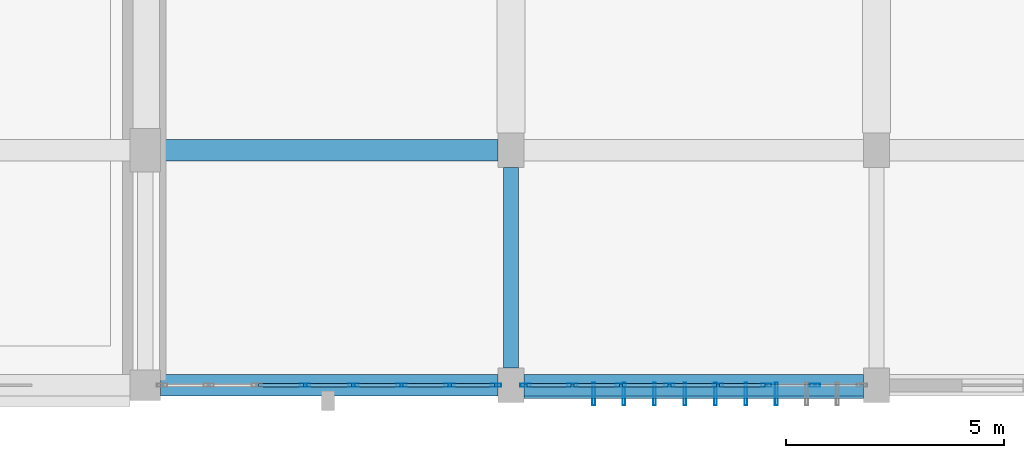
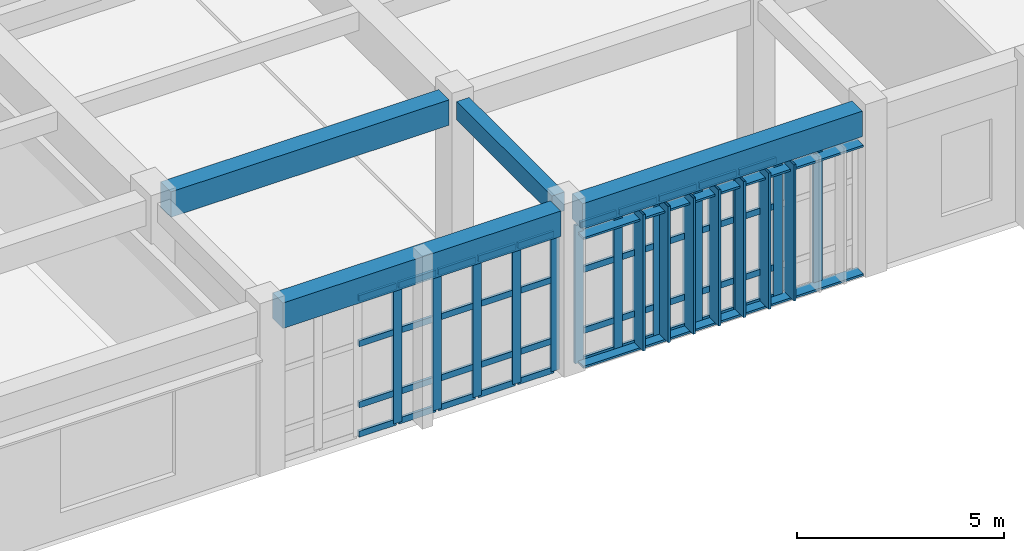
# One storey, part 27 of 106: 61 members, 4 beams, 2 elements without a shape of their own.
"""IFC4 building model written with IfcOpenShell, lengths in metres."""

from ifc_helpers import new_model, si_unit, direction, frame, origin, origin_2d, place, context, subcontext, project, spatial, rectangle, hollow_rectangle, extrude, material, layer, layer_set, material_profile, profile_set, type_object, element, aggregate, save


model = new_model("IFC4")

# Units and contexts
model_context = context("Model", 3, precision=1e-05, world=origin(), true_north=direction((0.0, 1.0)))
body_context = subcontext(model_context, "Body", "Model", "MODEL_VIEW")
ifc_project = project(units=[si_unit("LENGTHUNIT", "METRE"), si_unit("AREAUNIT", "SQUARE_METRE"), si_unit("VOLUMEUNIT", "CUBIC_METRE"), si_unit("PLANEANGLEUNIT", "RADIAN"), si_unit("MASSUNIT", "GRAM", prefix="KILO")], contexts=[model_context])

# Site, building, storey
site_placement = place(None, origin())
site = spatial("IfcSite", under=ifc_project, at=site_placement, CompositionType="ELEMENT")
building_placement = place(site_placement, origin())
building = spatial("IfcBuilding", under=site, at=building_placement, Name="Krzemoval Escarpment Law Courts", CompositionType="ELEMENT")
storey_placement = place(building_placement, frame((0.0, 0.0, 5.10009765625)))
storey = spatial("IfcBuildingStorey", under=building, at=storey_placement, Name="L01", CompositionType="ELEMENT", Elevation=5.10009765625)

# Beams
ifc_material_1 = material(Name="Concrete C40/50", Category="concrete")
ifc_material_profile_1 = material_profile(ifc_material_1, rectangle(XDim=0.35009765625, YDim=0.550048828125, at=origin_2d()), Name="RCB 350x550")
ifc_profile_set_1 = profile_set([ifc_material_profile_1], Name="Concrete C40/50")
beam_type_1 = type_object("IfcBeamType", Name="BM-RC-350x550", PredefinedType="BEAM", material=ifc_profile_set_1)
beam_1_placement = place(storey_placement, frame((117.60009765625, 0.39990234375, 4.544921875), z_axis=(0.0, 1.0, 0.0), x_axis=(-1.0, 0.0, 0.0)))
element("IfcBeam", 1, at=beam_1_placement, inside=storey, type_object=beam_type_1, Name="Beam FG-L01-1501", PredefinedType="BEAM", context=body_context, shape_type="SweptSolid", body=[
    extrude(rectangle(XDim=0.35009765625, YDim=0.550048828125, at=origin_2d()), origin(), (0.0, 0.0, 1.0), 4.60009765625),
])
ifc_material_2 = material(Name="Concrete C40/50", Category="concrete")
ifc_material_profile_2 = material_profile(ifc_material_2, rectangle(XDim=0.5, YDim=0.75, at=origin_2d()), Name="RCB 500x750")
ifc_profile_set_2 = profile_set([ifc_material_profile_2], Name="Concrete C40/50")
beam_type_2 = type_object("IfcBeamType", Name="BM-RC-500x750", PredefinedType="BEAM", material=ifc_profile_set_2)
beam_2_placement = place(storey_placement, frame((109.550048828125, 0.0, 4.44482421875), z_axis=(1.0, 0.0, 0.0), x_axis=(0.0, 1.0, 0.0)))
element("IfcBeam", 2, at=beam_2_placement, inside=storey, type_object=beam_type_2, Name="Beam FG-L01-1158", PredefinedType="BEAM", context=body_context, shape_type="SweptSolid", body=[
    extrude(rectangle(XDim=0.5, YDim=0.75, at=origin_2d()), origin(), (0.0, 0.0, 1.0), 7.75),
])
beam_3_placement = place(storey_placement, frame((117.89990234375, 0.0, 4.44482421875), z_axis=(1.0, 0.0, 0.0), x_axis=(0.0, 1.0, 0.0)))
element("IfcBeam", 3, at=beam_3_placement, inside=storey, type_object=beam_type_2, Name="Beam FG-L01-1159", PredefinedType="BEAM", context=body_context, shape_type="SweptSolid", body=[
    extrude(rectangle(XDim=0.5, YDim=0.75, at=origin_2d()), origin(), (0.0, 0.0, 1.0), 7.800048828125),
])
beam_4_placement = place(storey_placement, frame((109.550048828125, 5.39990234375, 4.44482421875), z_axis=(1.0, 0.0, 0.0), x_axis=(0.0, 1.0, 0.0)))
element("IfcBeam", 4, at=beam_4_placement, inside=storey, type_object=beam_type_2, Name="Beam FG-L01-1176", PredefinedType="BEAM", context=body_context, shape_type="SweptSolid", body=[
    extrude(rectangle(XDim=0.5, YDim=0.75, at=origin_2d()), origin(), (0.0, 0.0, 1.0), 7.75),
])

# Curtain wall, members
ifc_material_3 = material(Name="Aluminium 6063-T6", Category="aluminium")
ifc_layer = layer(ifc_material_3, 0.239990234375)
ifc_layer_set = layer_set([ifc_layer], Name="Aluminium 6063-T6")
curtain_wall_type = type_object("IfcCurtainWallType", Name="CW-LIBR-4800", PredefinedType="USERDEFINED", material=ifc_layer_set)
curtain_wall_1_placement = place(storey_placement, origin())
curtain_wall_1 = element("IfcCurtainWall", 5, at=curtain_wall_1_placement, inside=storey, type_object=curtain_wall_type, Name="Unitised Curtain Wall FCW-L01-043", ObjectType="UNITISED_CURTAIN_WALL", PredefinedType="USERDEFINED")
ifc_material_4 = material(Name="Aluminium 6063-T6", Category="aluminium")
ifc_material_profile_3 = material_profile(ifc_material_4, hollow_rectangle(XDim=0.074951171875, YDim=0.239990234375, WallThickness=0.0048828125, at=origin_2d()), Name="ALU M75x240")
ifc_profile_set_3 = profile_set([ifc_material_profile_3], Name="Aluminium 6063-T6")
member_type_1 = type_object("IfcMemberType", Name="CWM-75x240", PredefinedType="MULLION", material=ifc_profile_set_3)
member_1_placement = place(storey_placement, frame((124.585693359375, 0.0, 0.0), z_axis=(0.0, 0.0, 1.0), x_axis=(0.0, -1.0, 0.0)))
member_1 = element("IfcMember", 6, at=member_1_placement, type_object=member_type_1, Name="FCW-L01-043 mullion 2", PredefinedType="MULLION", context=body_context, shape_type="SweptSolid", body=[
    extrude(hollow_rectangle(XDim=0.074951171875, YDim=0.239990234375, WallThickness=0.0048828125, at=origin_2d()), origin(), (0.0, 0.0, 1.0), 4.06982421875),
])
member_2_placement = place(storey_placement, frame((123.471435546875, 0.0, 0.0), z_axis=(0.0, 0.0, 1.0), x_axis=(0.0, -1.0, 0.0)))
member_2 = element("IfcMember", 7, at=member_2_placement, type_object=member_type_1, Name="FCW-L01-043 mullion 3", PredefinedType="MULLION", context=body_context, shape_type="SweptSolid", body=[
    extrude(hollow_rectangle(XDim=0.074951171875, YDim=0.239990234375, WallThickness=0.0048828125, at=origin_2d()), origin(), (0.0, 0.0, 1.0), 4.06982421875),
])
member_3_placement = place(storey_placement, frame((122.357177734375, 0.0, 0.0), z_axis=(0.0, 0.0, 1.0), x_axis=(0.0, -1.0, 0.0)))
member_3 = element("IfcMember", 8, at=member_3_placement, type_object=member_type_1, Name="FCW-L01-043 mullion 4", PredefinedType="MULLION", context=body_context, shape_type="SweptSolid", body=[
    extrude(hollow_rectangle(XDim=0.074951171875, YDim=0.239990234375, WallThickness=0.0048828125, at=origin_2d()), origin(), (0.0, 0.0, 1.0), 4.06982421875),
])
member_4_placement = place(storey_placement, frame((121.242919921875, 0.0, 0.0), z_axis=(0.0, 0.0, 1.0), x_axis=(0.0, -1.0, 0.0)))
member_4 = element("IfcMember", 9, at=member_4_placement, type_object=member_type_1, Name="FCW-L01-043 mullion 5", PredefinedType="MULLION", context=body_context, shape_type="SweptSolid", body=[
    extrude(hollow_rectangle(XDim=0.074951171875, YDim=0.239990234375, WallThickness=0.0048828125, at=origin_2d()), origin(), (0.0, 0.0, 1.0), 4.06982421875),
])
member_5_placement = place(storey_placement, frame((120.128662109375, 0.0, 0.0), z_axis=(0.0, 0.0, 1.0), x_axis=(0.0, -1.0, 0.0)))
member_5 = element("IfcMember", 10, at=member_5_placement, type_object=member_type_1, Name="FCW-L01-043 mullion 6", PredefinedType="MULLION", context=body_context, shape_type="SweptSolid", body=[
    extrude(hollow_rectangle(XDim=0.074951171875, YDim=0.239990234375, WallThickness=0.0048828125, at=origin_2d()), origin(), (0.0, 0.0, 1.0), 4.06982421875),
])
member_6_placement = place(storey_placement, frame((119.014404296875, 0.0, 0.0), z_axis=(0.0, 0.0, 1.0), x_axis=(0.0, -1.0, 0.0)))
member_6 = element("IfcMember", 11, at=member_6_placement, type_object=member_type_1, Name="FCW-L01-043 mullion 7", PredefinedType="MULLION", context=body_context, shape_type="SweptSolid", body=[
    extrude(hollow_rectangle(XDim=0.074951171875, YDim=0.239990234375, WallThickness=0.0048828125, at=origin_2d()), origin(), (0.0, 0.0, 1.0), 4.06982421875),
])
member_7_placement = place(storey_placement, frame((117.9375, 0.0, 0.0), z_axis=(0.0, 0.0, 1.0), x_axis=(0.0, -1.0, 0.0)))
member_7 = element("IfcMember", 12, at=member_7_placement, type_object=member_type_1, Name="FCW-L01-043 mullion 8", PredefinedType="MULLION", context=body_context, shape_type="SweptSolid", body=[
    extrude(hollow_rectangle(XDim=0.074951171875, YDim=0.239990234375, WallThickness=0.0048828125, at=origin_2d()), origin(), (0.0, 0.0, 1.0), 4.06982421875),
])

curtain_wall_2_placement = place(storey_placement, origin())
curtain_wall_2 = element("IfcCurtainWall", 13, at=curtain_wall_2_placement, inside=storey, type_object=curtain_wall_type, Name="Unitised Curtain Wall FCW-L01-044", ObjectType="UNITISED_CURTAIN_WALL", PredefinedType="USERDEFINED")
member_8_placement = place(storey_placement, frame((117.262451171875, 0.0, 0.0), z_axis=(0.0, 0.0, 1.0), x_axis=(0.0, -1.0, 0.0)))
member_8 = element("IfcMember", 14, at=member_8_placement, type_object=member_type_1, Name="FCW-L01-044 mullion 1", PredefinedType="MULLION", context=body_context, shape_type="SweptSolid", body=[
    extrude(hollow_rectangle(XDim=0.074951171875, YDim=0.239990234375, WallThickness=0.0048828125, at=origin_2d()), origin(), (0.0, 0.0, 1.0), 4.06982421875),
])
member_9_placement = place(storey_placement, frame((116.19287109375, 0.0, 0.0), z_axis=(0.0, 0.0, 1.0), x_axis=(0.0, -1.0, 0.0)))
member_9 = element("IfcMember", 15, at=member_9_placement, type_object=member_type_1, Name="FCW-L01-044 mullion 2", PredefinedType="MULLION", context=body_context, shape_type="SweptSolid", body=[
    extrude(hollow_rectangle(XDim=0.074951171875, YDim=0.239990234375, WallThickness=0.0048828125, at=origin_2d()), origin(), (0.0, 0.0, 1.0), 4.06982421875),
])
member_10_placement = place(storey_placement, frame((115.085693359375, 0.0, 0.0), z_axis=(0.0, 0.0, 1.0), x_axis=(0.0, -1.0, 0.0)))
member_10 = element("IfcMember", 16, at=member_10_placement, type_object=member_type_1, Name="FCW-L01-044 mullion 3", PredefinedType="MULLION", context=body_context, shape_type="SweptSolid", body=[
    extrude(hollow_rectangle(XDim=0.074951171875, YDim=0.239990234375, WallThickness=0.0048828125, at=origin_2d()), origin(), (0.0, 0.0, 1.0), 4.06982421875),
])
member_11_placement = place(storey_placement, frame((113.978515625, 0.0, 0.0), z_axis=(0.0, 0.0, 1.0), x_axis=(0.0, -1.0, 0.0)))
member_11 = element("IfcMember", 17, at=member_11_placement, type_object=member_type_1, Name="FCW-L01-044 mullion 4", PredefinedType="MULLION", context=body_context, shape_type="SweptSolid", body=[
    extrude(hollow_rectangle(XDim=0.074951171875, YDim=0.239990234375, WallThickness=0.0048828125, at=origin_2d()), origin(), (0.0, 0.0, 1.0), 4.06982421875),
])
member_12_placement = place(storey_placement, frame((112.871337890625, 0.0, 0.0), z_axis=(0.0, 0.0, 1.0), x_axis=(0.0, -1.0, 0.0)))
member_12 = element("IfcMember", 18, at=member_12_placement, type_object=member_type_1, Name="FCW-L01-044 mullion 5", PredefinedType="MULLION", context=body_context, shape_type="SweptSolid", body=[
    extrude(hollow_rectangle(XDim=0.074951171875, YDim=0.239990234375, WallThickness=0.0048828125, at=origin_2d()), origin(), (0.0, 0.0, 1.0), 4.06982421875),
])

# Member
ifc_material_5 = material(Name="Aluminium 6063-T6", Category="aluminium")
ifc_material_profile_4 = material_profile(ifc_material_5, hollow_rectangle(XDim=0.074951171875, YDim=0.179931640625, WallThickness=0.0048828125, at=origin_2d()), Name="ALU T75x180")
ifc_profile_set_4 = profile_set([ifc_material_profile_4], Name="Aluminium 6063-T6")
member_type_2 = type_object("IfcMemberType", Name="CWT-75x180", PredefinedType="USERDEFINED", material=ifc_profile_set_4)
member_13_placement = place(storey_placement, frame((123.433837890625, 0.0, 0.037353515625), z_axis=(-1.0, 0.0, 0.0), x_axis=(0.0, -1.0, 0.0)))
member_13 = element("IfcMember", 19, at=member_13_placement, type_object=member_type_2, Name="FCW-L01-043 transom 3.1", ObjectType="TRANSOM", PredefinedType="USERDEFINED", context=body_context, shape_type="SweptSolid", body=[
    extrude(hollow_rectangle(XDim=0.074951171875, YDim=0.179931640625, WallThickness=0.0048828125, at=origin_2d()), origin(), (0.0, 0.0, 1.0), 1.039306640625),
])

member_14_placement = place(storey_placement, frame((123.433837890625, 0.0, 0.89990234375), z_axis=(-1.0, 0.0, 0.0), x_axis=(0.0, -1.0, 0.0)))
member_14 = element("IfcMember", 20, at=member_14_placement, type_object=member_type_2, Name="FCW-L01-043 transom 3.2", ObjectType="TRANSOM", PredefinedType="USERDEFINED", context=body_context, shape_type="SweptSolid", body=[
    extrude(hollow_rectangle(XDim=0.074951171875, YDim=0.179931640625, WallThickness=0.0048828125, at=origin_2d()), origin(), (0.0, 0.0, 1.0), 1.039306640625),
])

member_15_placement = place(storey_placement, frame((123.433837890625, 0.0, 2.699951171875), z_axis=(-1.0, 0.0, 0.0), x_axis=(0.0, -1.0, 0.0)))
member_15 = element("IfcMember", 21, at=member_15_placement, type_object=member_type_2, Name="FCW-L01-043 transom 3.3", ObjectType="TRANSOM", PredefinedType="USERDEFINED", context=body_context, shape_type="SweptSolid", body=[
    extrude(hollow_rectangle(XDim=0.074951171875, YDim=0.179931640625, WallThickness=0.0048828125, at=origin_2d()), origin(), (0.0, 0.0, 1.0), 1.039306640625),
])

member_16_placement = place(storey_placement, frame((123.433837890625, 0.0, 4.032470703125), z_axis=(-1.0, 0.0, 0.0), x_axis=(0.0, -1.0, 0.0)))
member_16 = element("IfcMember", 22, at=member_16_placement, type_object=member_type_2, Name="FCW-L01-043 transom 3.4", ObjectType="TRANSOM", PredefinedType="USERDEFINED", context=body_context, shape_type="SweptSolid", body=[
    extrude(hollow_rectangle(XDim=0.074951171875, YDim=0.179931640625, WallThickness=0.0048828125, at=origin_2d()), origin(), (0.0, 0.0, 1.0), 1.039306640625),
])

member_17_placement = place(storey_placement, frame((122.319580078125, 0.0, 0.037353515625), z_axis=(-1.0, 0.0, 0.0), x_axis=(0.0, -1.0, 0.0)))
member_17 = element("IfcMember", 23, at=member_17_placement, type_object=member_type_2, Name="FCW-L01-043 transom 4.1", ObjectType="TRANSOM", PredefinedType="USERDEFINED", context=body_context, shape_type="SweptSolid", body=[
    extrude(hollow_rectangle(XDim=0.074951171875, YDim=0.179931640625, WallThickness=0.0048828125, at=origin_2d()), origin(), (0.0, 0.0, 1.0), 1.039306640625),
])

member_18_placement = place(storey_placement, frame((122.319580078125, 0.0, 0.89990234375), z_axis=(-1.0, 0.0, 0.0), x_axis=(0.0, -1.0, 0.0)))
member_18 = element("IfcMember", 24, at=member_18_placement, type_object=member_type_2, Name="FCW-L01-043 transom 4.2", ObjectType="TRANSOM", PredefinedType="USERDEFINED", context=body_context, shape_type="SweptSolid", body=[
    extrude(hollow_rectangle(XDim=0.074951171875, YDim=0.179931640625, WallThickness=0.0048828125, at=origin_2d()), origin(), (0.0, 0.0, 1.0), 1.039306640625),
])

member_19_placement = place(storey_placement, frame((122.319580078125, 0.0, 2.699951171875), z_axis=(-1.0, 0.0, 0.0), x_axis=(0.0, -1.0, 0.0)))
member_19 = element("IfcMember", 25, at=member_19_placement, type_object=member_type_2, Name="FCW-L01-043 transom 4.3", ObjectType="TRANSOM", PredefinedType="USERDEFINED", context=body_context, shape_type="SweptSolid", body=[
    extrude(hollow_rectangle(XDim=0.074951171875, YDim=0.179931640625, WallThickness=0.0048828125, at=origin_2d()), origin(), (0.0, 0.0, 1.0), 1.039306640625),
])

member_20_placement = place(storey_placement, frame((122.319580078125, 0.0, 4.032470703125), z_axis=(-1.0, 0.0, 0.0), x_axis=(0.0, -1.0, 0.0)))
member_20 = element("IfcMember", 26, at=member_20_placement, type_object=member_type_2, Name="FCW-L01-043 transom 4.4", ObjectType="TRANSOM", PredefinedType="USERDEFINED", context=body_context, shape_type="SweptSolid", body=[
    extrude(hollow_rectangle(XDim=0.074951171875, YDim=0.179931640625, WallThickness=0.0048828125, at=origin_2d()), origin(), (0.0, 0.0, 1.0), 1.039306640625),
])

member_21_placement = place(storey_placement, frame((121.205322265625, 0.0, 0.037353515625), z_axis=(-1.0, 0.0, 0.0), x_axis=(0.0, -1.0, 0.0)))
member_21 = element("IfcMember", 27, at=member_21_placement, type_object=member_type_2, Name="FCW-L01-043 transom 5.1", ObjectType="TRANSOM", PredefinedType="USERDEFINED", context=body_context, shape_type="SweptSolid", body=[
    extrude(hollow_rectangle(XDim=0.074951171875, YDim=0.179931640625, WallThickness=0.0048828125, at=origin_2d()), origin(), (0.0, 0.0, 1.0), 1.039306640625),
])

member_22_placement = place(storey_placement, frame((121.205322265625, 0.0, 0.89990234375), z_axis=(-1.0, 0.0, 0.0), x_axis=(0.0, -1.0, 0.0)))
member_22 = element("IfcMember", 28, at=member_22_placement, type_object=member_type_2, Name="FCW-L01-043 transom 5.2", ObjectType="TRANSOM", PredefinedType="USERDEFINED", context=body_context, shape_type="SweptSolid", body=[
    extrude(hollow_rectangle(XDim=0.074951171875, YDim=0.179931640625, WallThickness=0.0048828125, at=origin_2d()), origin(), (0.0, 0.0, 1.0), 1.039306640625),
])

member_23_placement = place(storey_placement, frame((121.205322265625, 0.0, 2.699951171875), z_axis=(-1.0, 0.0, 0.0), x_axis=(0.0, -1.0, 0.0)))
member_23 = element("IfcMember", 29, at=member_23_placement, type_object=member_type_2, Name="FCW-L01-043 transom 5.3", ObjectType="TRANSOM", PredefinedType="USERDEFINED", context=body_context, shape_type="SweptSolid", body=[
    extrude(hollow_rectangle(XDim=0.074951171875, YDim=0.179931640625, WallThickness=0.0048828125, at=origin_2d()), origin(), (0.0, 0.0, 1.0), 1.039306640625),
])

member_24_placement = place(storey_placement, frame((121.205322265625, 0.0, 4.032470703125), z_axis=(-1.0, 0.0, 0.0), x_axis=(0.0, -1.0, 0.0)))
member_24 = element("IfcMember", 30, at=member_24_placement, type_object=member_type_2, Name="FCW-L01-043 transom 5.4", ObjectType="TRANSOM", PredefinedType="USERDEFINED", context=body_context, shape_type="SweptSolid", body=[
    extrude(hollow_rectangle(XDim=0.074951171875, YDim=0.179931640625, WallThickness=0.0048828125, at=origin_2d()), origin(), (0.0, 0.0, 1.0), 1.039306640625),
])

member_25_placement = place(storey_placement, frame((120.091064453125, 0.0, 0.037353515625), z_axis=(-1.0, 0.0, 0.0), x_axis=(0.0, -1.0, 0.0)))
member_25 = element("IfcMember", 31, at=member_25_placement, type_object=member_type_2, Name="FCW-L01-043 transom 6.1", ObjectType="TRANSOM", PredefinedType="USERDEFINED", context=body_context, shape_type="SweptSolid", body=[
    extrude(hollow_rectangle(XDim=0.074951171875, YDim=0.179931640625, WallThickness=0.0048828125, at=origin_2d()), origin(), (0.0, 0.0, 1.0), 1.039306640625),
])

member_26_placement = place(storey_placement, frame((120.091064453125, 0.0, 0.89990234375), z_axis=(-1.0, 0.0, 0.0), x_axis=(0.0, -1.0, 0.0)))
member_26 = element("IfcMember", 32, at=member_26_placement, type_object=member_type_2, Name="FCW-L01-043 transom 6.2", ObjectType="TRANSOM", PredefinedType="USERDEFINED", context=body_context, shape_type="SweptSolid", body=[
    extrude(hollow_rectangle(XDim=0.074951171875, YDim=0.179931640625, WallThickness=0.0048828125, at=origin_2d()), origin(), (0.0, 0.0, 1.0), 1.039306640625),
])

member_27_placement = place(storey_placement, frame((120.091064453125, 0.0, 2.699951171875), z_axis=(-1.0, 0.0, 0.0), x_axis=(0.0, -1.0, 0.0)))
member_27 = element("IfcMember", 33, at=member_27_placement, type_object=member_type_2, Name="FCW-L01-043 transom 6.3", ObjectType="TRANSOM", PredefinedType="USERDEFINED", context=body_context, shape_type="SweptSolid", body=[
    extrude(hollow_rectangle(XDim=0.074951171875, YDim=0.179931640625, WallThickness=0.0048828125, at=origin_2d()), origin(), (0.0, 0.0, 1.0), 1.039306640625),
])

member_28_placement = place(storey_placement, frame((120.091064453125, 0.0, 4.032470703125), z_axis=(-1.0, 0.0, 0.0), x_axis=(0.0, -1.0, 0.0)))
member_28 = element("IfcMember", 34, at=member_28_placement, type_object=member_type_2, Name="FCW-L01-043 transom 6.4", ObjectType="TRANSOM", PredefinedType="USERDEFINED", context=body_context, shape_type="SweptSolid", body=[
    extrude(hollow_rectangle(XDim=0.074951171875, YDim=0.179931640625, WallThickness=0.0048828125, at=origin_2d()), origin(), (0.0, 0.0, 1.0), 1.039306640625),
])

member_29_placement = place(storey_placement, frame((118.976806640625, 0.0, 0.037353515625), z_axis=(-1.0, 0.0, 0.0), x_axis=(0.0, -1.0, 0.0)))
member_29 = element("IfcMember", 35, at=member_29_placement, type_object=member_type_2, Name="FCW-L01-043 transom 7.1", ObjectType="TRANSOM", PredefinedType="USERDEFINED", context=body_context, shape_type="SweptSolid", body=[
    extrude(hollow_rectangle(XDim=0.074951171875, YDim=0.179931640625, WallThickness=0.0048828125, at=origin_2d()), origin(), (0.0, 0.0, 1.0), 1.001708984375),
])

member_30_placement = place(storey_placement, frame((118.976806640625, 0.0, 0.89990234375), z_axis=(-1.0, 0.0, 0.0), x_axis=(0.0, -1.0, 0.0)))
member_30 = element("IfcMember", 36, at=member_30_placement, type_object=member_type_2, Name="FCW-L01-043 transom 7.2", ObjectType="TRANSOM", PredefinedType="USERDEFINED", context=body_context, shape_type="SweptSolid", body=[
    extrude(hollow_rectangle(XDim=0.074951171875, YDim=0.179931640625, WallThickness=0.0048828125, at=origin_2d()), origin(), (0.0, 0.0, 1.0), 1.001708984375),
])

member_31_placement = place(storey_placement, frame((118.976806640625, 0.0, 2.699951171875), z_axis=(-1.0, 0.0, 0.0), x_axis=(0.0, -1.0, 0.0)))
member_31 = element("IfcMember", 37, at=member_31_placement, type_object=member_type_2, Name="FCW-L01-043 transom 7.3", ObjectType="TRANSOM", PredefinedType="USERDEFINED", context=body_context, shape_type="SweptSolid", body=[
    extrude(hollow_rectangle(XDim=0.074951171875, YDim=0.179931640625, WallThickness=0.0048828125, at=origin_2d()), origin(), (0.0, 0.0, 1.0), 1.001708984375),
])

member_32_placement = place(storey_placement, frame((118.976806640625, 0.0, 4.032470703125), z_axis=(-1.0, 0.0, 0.0), x_axis=(0.0, -1.0, 0.0)))
member_32 = element("IfcMember", 38, at=member_32_placement, type_object=member_type_2, Name="FCW-L01-043 transom 7.4", ObjectType="TRANSOM", PredefinedType="USERDEFINED", context=body_context, shape_type="SweptSolid", body=[
    extrude(hollow_rectangle(XDim=0.074951171875, YDim=0.179931640625, WallThickness=0.0048828125, at=origin_2d()), origin(), (0.0, 0.0, 1.0), 1.001708984375),
])

aggregate(curtain_wall_1, [member_1, member_2, member_3, member_4, member_5, member_6, member_7, member_13, member_14, member_15, member_16, member_17, member_18, member_19, member_20, member_21, member_22, member_23, member_24, member_25, member_26, member_27, member_28, member_29, member_30, member_31, member_32])

member_33_placement = place(storey_placement, frame((117.22509765625, 0.0, 0.037353515625), z_axis=(-1.0, 0.0, 0.0), x_axis=(0.0, -1.0, 0.0)))
member_33 = element("IfcMember", 39, at=member_33_placement, type_object=member_type_2, Name="FCW-L01-044 transom 1.1", ObjectType="TRANSOM", PredefinedType="USERDEFINED", context=body_context, shape_type="SweptSolid", body=[
    extrude(hollow_rectangle(XDim=0.074951171875, YDim=0.179931640625, WallThickness=0.0048828125, at=origin_2d()), origin(), (0.0, 0.0, 1.0), 0.99462890625),
])

member_34_placement = place(storey_placement, frame((117.22509765625, 0.0, 0.89990234375), z_axis=(-1.0, 0.0, 0.0), x_axis=(0.0, -1.0, 0.0)))
member_34 = element("IfcMember", 40, at=member_34_placement, type_object=member_type_2, Name="FCW-L01-044 transom 1.2", ObjectType="TRANSOM", PredefinedType="USERDEFINED", context=body_context, shape_type="SweptSolid", body=[
    extrude(hollow_rectangle(XDim=0.074951171875, YDim=0.179931640625, WallThickness=0.0048828125, at=origin_2d()), origin(), (0.0, 0.0, 1.0), 0.99462890625),
])

member_35_placement = place(storey_placement, frame((117.22509765625, 0.0, 2.699951171875), z_axis=(-1.0, 0.0, 0.0), x_axis=(0.0, -1.0, 0.0)))
member_35 = element("IfcMember", 41, at=member_35_placement, type_object=member_type_2, Name="FCW-L01-044 transom 1.3", ObjectType="TRANSOM", PredefinedType="USERDEFINED", context=body_context, shape_type="SweptSolid", body=[
    extrude(hollow_rectangle(XDim=0.074951171875, YDim=0.179931640625, WallThickness=0.0048828125, at=origin_2d()), origin(), (0.0, 0.0, 1.0), 0.99462890625),
])

member_36_placement = place(storey_placement, frame((117.22509765625, 0.0, 4.032470703125), z_axis=(-1.0, 0.0, 0.0), x_axis=(0.0, -1.0, 0.0)))
member_36 = element("IfcMember", 42, at=member_36_placement, type_object=member_type_2, Name="FCW-L01-044 transom 1.4", ObjectType="TRANSOM", PredefinedType="USERDEFINED", context=body_context, shape_type="SweptSolid", body=[
    extrude(hollow_rectangle(XDim=0.074951171875, YDim=0.179931640625, WallThickness=0.0048828125, at=origin_2d()), origin(), (0.0, 0.0, 1.0), 0.99462890625),
])

member_37_placement = place(storey_placement, frame((116.1552734375, 0.0, 0.037353515625), z_axis=(-1.0, 0.0, 0.0), x_axis=(0.0, -1.0, 0.0)))
member_37 = element("IfcMember", 43, at=member_37_placement, type_object=member_type_2, Name="FCW-L01-044 transom 2.1", ObjectType="TRANSOM", PredefinedType="USERDEFINED", context=body_context, shape_type="SweptSolid", body=[
    extrude(hollow_rectangle(XDim=0.074951171875, YDim=0.179931640625, WallThickness=0.0048828125, at=origin_2d()), origin(), (0.0, 0.0, 1.0), 1.031982421875),
])

member_38_placement = place(storey_placement, frame((116.1552734375, 0.0, 0.89990234375), z_axis=(-1.0, 0.0, 0.0), x_axis=(0.0, -1.0, 0.0)))
member_38 = element("IfcMember", 44, at=member_38_placement, type_object=member_type_2, Name="FCW-L01-044 transom 2.2", ObjectType="TRANSOM", PredefinedType="USERDEFINED", context=body_context, shape_type="SweptSolid", body=[
    extrude(hollow_rectangle(XDim=0.074951171875, YDim=0.179931640625, WallThickness=0.0048828125, at=origin_2d()), origin(), (0.0, 0.0, 1.0), 1.031982421875),
])

member_39_placement = place(storey_placement, frame((116.1552734375, 0.0, 2.699951171875), z_axis=(-1.0, 0.0, 0.0), x_axis=(0.0, -1.0, 0.0)))
member_39 = element("IfcMember", 45, at=member_39_placement, type_object=member_type_2, Name="FCW-L01-044 transom 2.3", ObjectType="TRANSOM", PredefinedType="USERDEFINED", context=body_context, shape_type="SweptSolid", body=[
    extrude(hollow_rectangle(XDim=0.074951171875, YDim=0.179931640625, WallThickness=0.0048828125, at=origin_2d()), origin(), (0.0, 0.0, 1.0), 1.031982421875),
])

member_40_placement = place(storey_placement, frame((116.1552734375, 0.0, 4.032470703125), z_axis=(-1.0, 0.0, 0.0), x_axis=(0.0, -1.0, 0.0)))
member_40 = element("IfcMember", 46, at=member_40_placement, type_object=member_type_2, Name="FCW-L01-044 transom 2.4", ObjectType="TRANSOM", PredefinedType="USERDEFINED", context=body_context, shape_type="SweptSolid", body=[
    extrude(hollow_rectangle(XDim=0.074951171875, YDim=0.179931640625, WallThickness=0.0048828125, at=origin_2d()), origin(), (0.0, 0.0, 1.0), 1.031982421875),
])

member_41_placement = place(storey_placement, frame((115.048095703125, 0.0, 0.037353515625), z_axis=(-1.0, 0.0, 0.0), x_axis=(0.0, -1.0, 0.0)))
member_41 = element("IfcMember", 47, at=member_41_placement, type_object=member_type_2, Name="FCW-L01-044 transom 3.1", ObjectType="TRANSOM", PredefinedType="USERDEFINED", context=body_context, shape_type="SweptSolid", body=[
    extrude(hollow_rectangle(XDim=0.074951171875, YDim=0.179931640625, WallThickness=0.0048828125, at=origin_2d()), origin(), (0.0, 0.0, 1.0), 1.031982421875),
])

member_42_placement = place(storey_placement, frame((115.048095703125, 0.0, 0.89990234375), z_axis=(-1.0, 0.0, 0.0), x_axis=(0.0, -1.0, 0.0)))
member_42 = element("IfcMember", 48, at=member_42_placement, type_object=member_type_2, Name="FCW-L01-044 transom 3.2", ObjectType="TRANSOM", PredefinedType="USERDEFINED", context=body_context, shape_type="SweptSolid", body=[
    extrude(hollow_rectangle(XDim=0.074951171875, YDim=0.179931640625, WallThickness=0.0048828125, at=origin_2d()), origin(), (0.0, 0.0, 1.0), 1.031982421875),
])

member_43_placement = place(storey_placement, frame((115.048095703125, 0.0, 2.699951171875), z_axis=(-1.0, 0.0, 0.0), x_axis=(0.0, -1.0, 0.0)))
member_43 = element("IfcMember", 49, at=member_43_placement, type_object=member_type_2, Name="FCW-L01-044 transom 3.3", ObjectType="TRANSOM", PredefinedType="USERDEFINED", context=body_context, shape_type="SweptSolid", body=[
    extrude(hollow_rectangle(XDim=0.074951171875, YDim=0.179931640625, WallThickness=0.0048828125, at=origin_2d()), origin(), (0.0, 0.0, 1.0), 1.031982421875),
])

member_44_placement = place(storey_placement, frame((115.048095703125, 0.0, 4.032470703125), z_axis=(-1.0, 0.0, 0.0), x_axis=(0.0, -1.0, 0.0)))
member_44 = element("IfcMember", 50, at=member_44_placement, type_object=member_type_2, Name="FCW-L01-044 transom 3.4", ObjectType="TRANSOM", PredefinedType="USERDEFINED", context=body_context, shape_type="SweptSolid", body=[
    extrude(hollow_rectangle(XDim=0.074951171875, YDim=0.179931640625, WallThickness=0.0048828125, at=origin_2d()), origin(), (0.0, 0.0, 1.0), 1.031982421875),
])

member_45_placement = place(storey_placement, frame((113.941162109375, 0.0, 0.037353515625), z_axis=(-1.0, 0.0, 0.0), x_axis=(0.0, -1.0, 0.0)))
member_45 = element("IfcMember", 51, at=member_45_placement, type_object=member_type_2, Name="FCW-L01-044 transom 4.1", ObjectType="TRANSOM", PredefinedType="USERDEFINED", context=body_context, shape_type="SweptSolid", body=[
    extrude(hollow_rectangle(XDim=0.074951171875, YDim=0.179931640625, WallThickness=0.0048828125, at=origin_2d()), origin(), (0.0, 0.0, 1.0), 1.0322265625),
])

member_46_placement = place(storey_placement, frame((113.941162109375, 0.0, 0.89990234375), z_axis=(-1.0, 0.0, 0.0), x_axis=(0.0, -1.0, 0.0)))
member_46 = element("IfcMember", 52, at=member_46_placement, type_object=member_type_2, Name="FCW-L01-044 transom 4.2", ObjectType="TRANSOM", PredefinedType="USERDEFINED", context=body_context, shape_type="SweptSolid", body=[
    extrude(hollow_rectangle(XDim=0.074951171875, YDim=0.179931640625, WallThickness=0.0048828125, at=origin_2d()), origin(), (0.0, 0.0, 1.0), 1.0322265625),
])

member_47_placement = place(storey_placement, frame((113.941162109375, 0.0, 2.699951171875), z_axis=(-1.0, 0.0, 0.0), x_axis=(0.0, -1.0, 0.0)))
member_47 = element("IfcMember", 53, at=member_47_placement, type_object=member_type_2, Name="FCW-L01-044 transom 4.3", ObjectType="TRANSOM", PredefinedType="USERDEFINED", context=body_context, shape_type="SweptSolid", body=[
    extrude(hollow_rectangle(XDim=0.074951171875, YDim=0.179931640625, WallThickness=0.0048828125, at=origin_2d()), origin(), (0.0, 0.0, 1.0), 1.0322265625),
])

member_48_placement = place(storey_placement, frame((113.941162109375, 0.0, 4.032470703125), z_axis=(-1.0, 0.0, 0.0), x_axis=(0.0, -1.0, 0.0)))
member_48 = element("IfcMember", 54, at=member_48_placement, type_object=member_type_2, Name="FCW-L01-044 transom 4.4", ObjectType="TRANSOM", PredefinedType="USERDEFINED", context=body_context, shape_type="SweptSolid", body=[
    extrude(hollow_rectangle(XDim=0.074951171875, YDim=0.179931640625, WallThickness=0.0048828125, at=origin_2d()), origin(), (0.0, 0.0, 1.0), 1.0322265625),
])

member_49_placement = place(storey_placement, frame((112.833984375, 0.0, 0.037353515625), z_axis=(-1.0, 0.0, 0.0), x_axis=(0.0, -1.0, 0.0)))
member_49 = element("IfcMember", 55, at=member_49_placement, type_object=member_type_2, Name="FCW-L01-044 transom 5.1", ObjectType="TRANSOM", PredefinedType="USERDEFINED", context=body_context, shape_type="SweptSolid", body=[
    extrude(hollow_rectangle(XDim=0.074951171875, YDim=0.179931640625, WallThickness=0.0048828125, at=origin_2d()), origin(), (0.0, 0.0, 1.0), 1.0322265625),
])

member_50_placement = place(storey_placement, frame((112.833984375, 0.0, 0.89990234375), z_axis=(-1.0, 0.0, 0.0), x_axis=(0.0, -1.0, 0.0)))
member_50 = element("IfcMember", 56, at=member_50_placement, type_object=member_type_2, Name="FCW-L01-044 transom 5.2", ObjectType="TRANSOM", PredefinedType="USERDEFINED", context=body_context, shape_type="SweptSolid", body=[
    extrude(hollow_rectangle(XDim=0.074951171875, YDim=0.179931640625, WallThickness=0.0048828125, at=origin_2d()), origin(), (0.0, 0.0, 1.0), 1.0322265625),
])

member_51_placement = place(storey_placement, frame((112.833984375, 0.0, 2.699951171875), z_axis=(-1.0, 0.0, 0.0), x_axis=(0.0, -1.0, 0.0)))
member_51 = element("IfcMember", 57, at=member_51_placement, type_object=member_type_2, Name="FCW-L01-044 transom 5.3", ObjectType="TRANSOM", PredefinedType="USERDEFINED", context=body_context, shape_type="SweptSolid", body=[
    extrude(hollow_rectangle(XDim=0.074951171875, YDim=0.179931640625, WallThickness=0.0048828125, at=origin_2d()), origin(), (0.0, 0.0, 1.0), 1.0322265625),
])

member_52_placement = place(storey_placement, frame((112.833984375, 0.0, 4.032470703125), z_axis=(-1.0, 0.0, 0.0), x_axis=(0.0, -1.0, 0.0)))
member_52 = element("IfcMember", 58, at=member_52_placement, type_object=member_type_2, Name="FCW-L01-044 transom 5.4", ObjectType="TRANSOM", PredefinedType="USERDEFINED", context=body_context, shape_type="SweptSolid", body=[
    extrude(hollow_rectangle(XDim=0.074951171875, YDim=0.179931640625, WallThickness=0.0048828125, at=origin_2d()), origin(), (0.0, 0.0, 1.0), 1.0322265625),
])

aggregate(curtain_wall_2, [member_8, member_9, member_10, member_11, member_12, member_33, member_34, member_35, member_36, member_37, member_38, member_39, member_40, member_41, member_42, member_43, member_44, member_45, member_46, member_47, member_48, member_49, member_50, member_51, member_52])

# Members
ifc_material_6 = material(Name="Anodised Aluminium Alloy 6063-T6", Category="aluminium")
ifc_material_profile_5 = material_profile(ifc_material_6, hollow_rectangle(XDim=0.06005859375, YDim=0.320068359375, WallThickness=0.00390625, at=origin_2d()), Name="ALU LVR 60x320")
ifc_profile_set_5 = profile_set([ifc_material_profile_5], Name="Anodised Aluminium Alloy 6063-T6")
member_type_3 = type_object("IfcMemberType", Name="LVR-ALU-320", PredefinedType="USERDEFINED", material=ifc_profile_set_5)
for number, where, z_axis, x_axis, name in (
    (59, (125.699951171875, -0.139892578125, 0.02978515625), (-1.0, 0.0, 0.0), (0.0, 0.0, 1.0), "Sunshade Support Rail FSR-L01-0153"),
    (60, (125.699951171875, -0.139892578125, 3.81982421875), (-1.0, 0.0, 0.0), (0.0, 0.0, 1.0), "Sunshade Support Rail FSR-L01-0154"),
):
    element("IfcMember", number, at=place(storey_placement, frame(where, z_axis=z_axis, x_axis=x_axis)), inside=storey, type_object=member_type_3, Name=name, ObjectType="SUNSHADE_LOUVRE", PredefinedType="USERDEFINED", context=body_context, shape_type="SweptSolid", body=[
        extrude(hollow_rectangle(XDim=0.06005859375, YDim=0.320068359375, WallThickness=0.00390625, at=origin_2d()), origin(), (0.0, 0.0, 1.0), 7.800048828125),
    ])
ifc_material_7 = material(Name="Anodised Aluminium Alloy 6063-T6", Category="aluminium")
ifc_material_profile_6 = material_profile(ifc_material_7, hollow_rectangle(XDim=0.06494140625, YDim=0.52001953125, WallThickness=0.00439453125, at=origin_2d()), Name="ALU LVR 65x520")
ifc_profile_set_6 = profile_set([ifc_material_profile_6], Name="Anodised Aluminium Alloy 6063-T6")
member_type_4 = type_object("IfcMemberType", Name="LVR-ALU-520", PredefinedType="USERDEFINED", material=ifc_profile_set_6)
for number, where, z_axis, x_axis, name in (
    (61, (123.699951171875, -0.199951171875, 0.059814453125), (0.0, 0.0, 1.0), (1.0, 0.0, 0.0), "Sunshade Louvre Fin FLV-L01-0157"),
    (62, (123.0, -0.199951171875, 0.059814453125), (0.0, 0.0, 1.0), (1.0, 0.0, 0.0), "Sunshade Louvre Fin FLV-L01-0158"),
    (63, (122.300048828125, -0.199951171875, 0.059814453125), (0.0, 0.0, 1.0), (1.0, 0.0, 0.0), "Sunshade Louvre Fin FLV-L01-0159"),
    (64, (121.60009765625, -0.199951171875, 0.059814453125), (0.0, 0.0, 1.0), (1.0, 0.0, 0.0), "Sunshade Louvre Fin FLV-L01-0160"),
    (65, (120.89990234375, -0.199951171875, 0.059814453125), (0.0, 0.0, 1.0), (1.0, 0.0, 0.0), "Sunshade Louvre Fin FLV-L01-0161"),
    (66, (120.199951171875, -0.199951171875, 0.059814453125), (0.0, 0.0, 1.0), (1.0, 0.0, 0.0), "Sunshade Louvre Fin FLV-L01-0162"),
    (67, (119.5, -0.199951171875, 0.059814453125), (0.0, 0.0, 1.0), (1.0, 0.0, 0.0), "Sunshade Louvre Fin FLV-L01-0163"),
):
    element("IfcMember", number, at=place(storey_placement, frame(where, z_axis=z_axis, x_axis=x_axis)), inside=storey, type_object=member_type_4, Name=name, ObjectType="SUNSHADE_LOUVRE", PredefinedType="USERDEFINED", context=body_context, shape_type="SweptSolid", body=[
        extrude(hollow_rectangle(XDim=0.06494140625, YDim=0.52001953125, WallThickness=0.00439453125, at=origin_2d()), origin(), (0.0, 0.0, 1.0), 4.010009765625),
    ])

save(model, "model.ifc")
